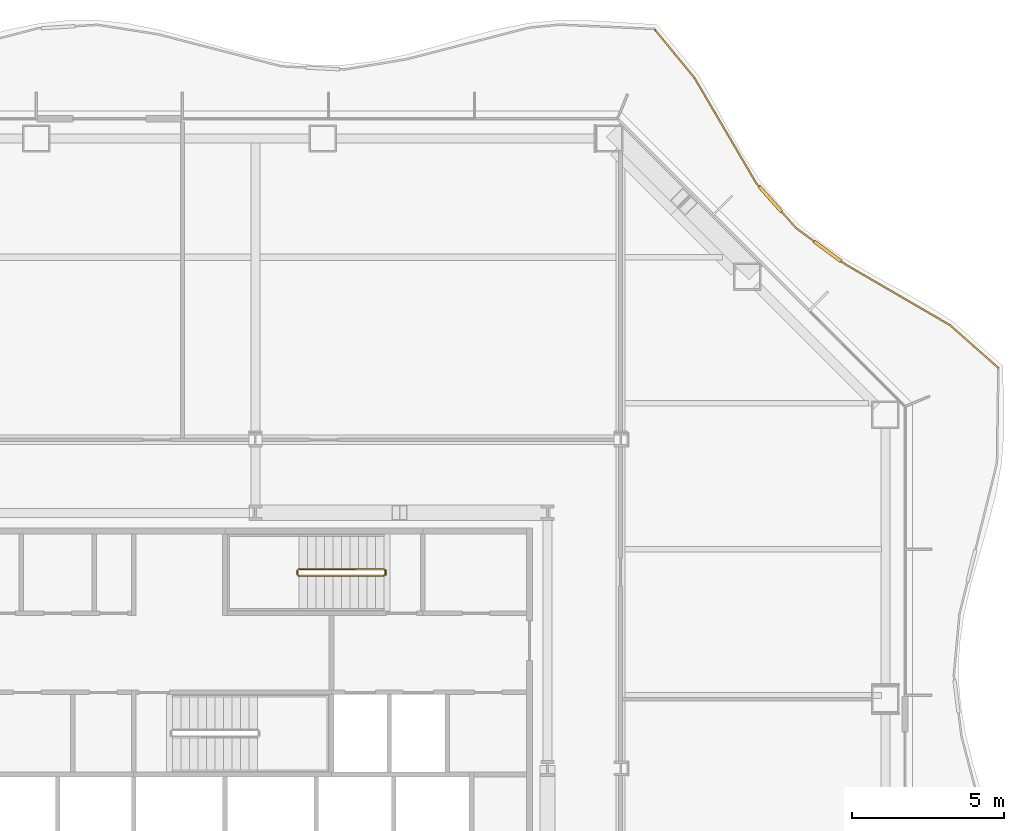
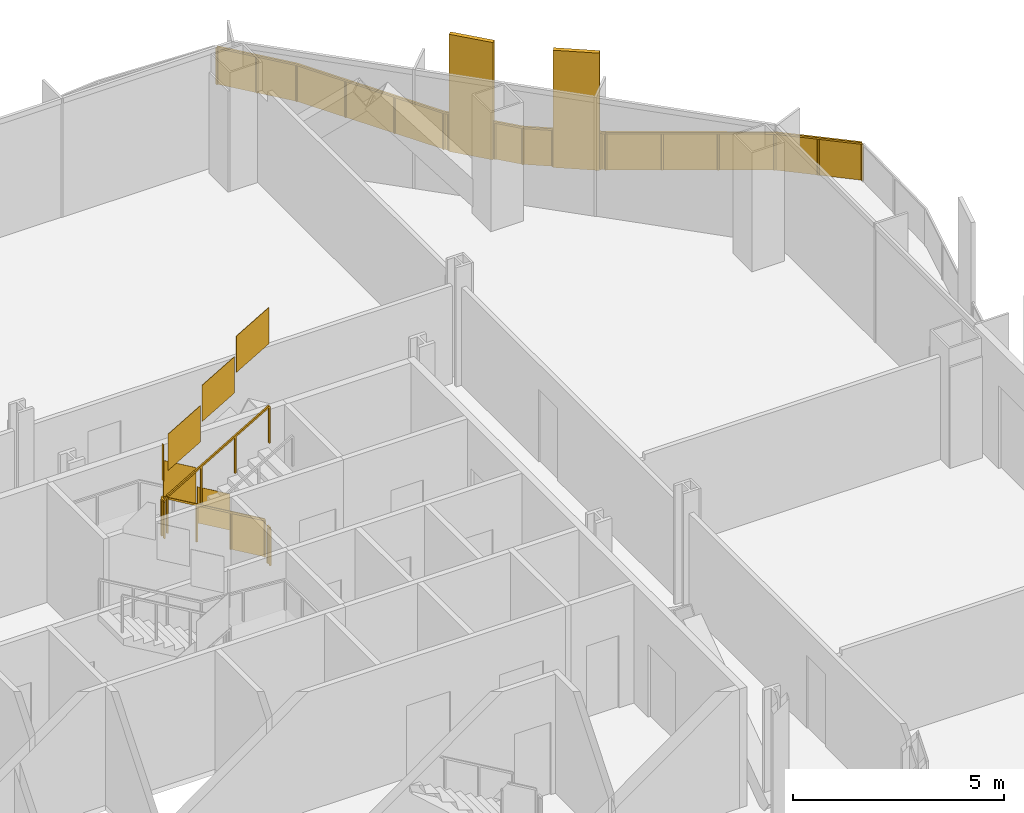
# One storey, part 17 of 17: 3 railings.
"""IFC4 building model written with IfcOpenShell, lengths in metres."""

from ifc_helpers import new_model, si_unit, direction, frame, origin, origin_2d, place, context, subcontext, project, spatial, polyline, rectangle, outline, extrude, material, type_object, element, save


model = new_model("IFC4")

# Units and contexts
model_context = context("Model", 3, precision=1e-05, world=origin(), true_north=direction((0.0, 1.0)))
body_context = subcontext(model_context, "Body", "Model", "MODEL_VIEW")
ifc_project = project(units=[si_unit("LENGTHUNIT", "METRE"), si_unit("AREAUNIT", "SQUARE_METRE"), si_unit("VOLUMEUNIT", "CUBIC_METRE"), si_unit("PLANEANGLEUNIT", "RADIAN"), si_unit("MASSUNIT", "GRAM", prefix="KILO")], contexts=[model_context])

# Site, building, storey
site_placement = place(None, origin())
site = spatial("IfcSite", under=ifc_project, at=site_placement, CompositionType="ELEMENT")
building_placement = place(site_placement, origin())
building = spatial("IfcBuilding", under=site, at=building_placement, Name="Cairn Pilgrim Tower", CompositionType="ELEMENT")
storey_placement = place(building_placement, frame((0.0, 0.0, 79.800048828125)))
storey = spatial("IfcBuildingStorey", under=building, at=storey_placement, Name="L18", CompositionType="ELEMENT", Elevation=79.800048828125)

# Railings
ifc_material_1 = material(Name="Bronze anodised aluminium rail, posts and fin screens with laminated glass infill", Category="aluminium")
railing_type_1 = type_object("IfcRailingType", Name="BALCONY GUARD WITH FIN SCREENS", PredefinedType="GUARDRAIL", material=ifc_material_1)
railing_1_placement = place(storey_placement, frame((31.614501953125, 15.5615234375, 0.0)))
element("IfcRailing", 1, at=railing_1_placement, inside=storey, type_object=railing_type_1, Name="Balcony guard BGF-4 with fin screens", PredefinedType="GUARDRAIL", context=body_context, shape_type="SweptSolid", body=[
    extrude(rectangle(XDim=0.050048828125, YDim=0.050048828125, at=origin_2d()), frame((0.0, 0.0, 1.0751953125), z_axis=(-0.749110938393, 0.662444565213, 0.0), x_axis=(-0.662444565213, -0.749110938393, 0.0)), (0.0, 0.0, 1.0), 2.118408203125),
    extrude(rectangle(XDim=0.050048828125, YDim=0.050048828125, at=origin_2d()), frame((-1.5869140625, 1.4033203125, 1.0751953125), z_axis=(-0.864566914372, 0.502517711702, 0.0), x_axis=(-0.502517711702, -0.864566914372, 0.0)), (0.0, 0.0, 1.0), 4.006103515625),
    extrude(rectangle(XDim=1.10009765625, YDim=0.110107421875, at=origin_2d()), frame((-5.613525390625, 3.83203125, 0.0), z_axis=(0.0, 0.0, 1.0), x_axis=(-0.804595063016, 0.593823866622, 0.0)), (0.0, 0.0, 1.0), 3.39990234375),
    extrude(rectangle(XDim=0.050048828125, YDim=0.050048828125, at=origin_2d()), frame((-5.050537109375, 3.41650390625, 1.0751953125), z_axis=(-0.804595063016, 0.593823866622, 0.0), x_axis=(-0.593823866622, -0.804595063016, 0.0)), (0.0, 0.0, 1.0), 0.14990234375),
    extrude(rectangle(XDim=0.050048828125, YDim=0.050048828125, at=origin_2d()), frame((-6.05615234375, 4.15869140625, 1.0751953125), z_axis=(-0.804595063016, 0.593823866622, 0.0), x_axis=(-0.593823866622, -0.804595063016, 0.0)), (0.0, 0.0, 1.0), 0.735595703125),
    extrude(rectangle(XDim=1.10009765625, YDim=0.110107421875, at=origin_2d()), frame((-7.49267578125, 5.548095703125, 0.0), z_axis=(0.0, 0.0, 1.0), x_axis=(-0.663526372196, 0.748152894401, 0.0)), (0.0, 0.0, 1.0), 3.39990234375),
    extrude(rectangle(XDim=0.050048828125, YDim=0.050048828125, at=origin_2d()), frame((-6.64794921875, 4.595458984375, 1.0751953125), z_axis=(-0.663526372196, 0.748152894401, 0.0), x_axis=(-0.748152894401, -0.663526372196, 0.0)), (0.0, 0.0, 1.0), 0.72314453125),
    extrude(rectangle(XDim=0.050048828125, YDim=0.050048828125, at=origin_2d()), frame((-7.857666015625, 5.95947265625, 1.0751953125), z_axis=(-0.663526372196, 0.748152894401, 0.0), x_axis=(-0.748152894401, -0.663526372196, 0.0)), (0.0, 0.0, 1.0), 0.150146484375),
    extrude(rectangle(XDim=0.050048828125, YDim=0.050048828125, at=origin_2d()), frame((-7.957275390625, 6.07177734375, 1.0751953125), z_axis=(-0.506003744629, 0.862531280837, 0.0), x_axis=(-0.862531280837, -0.506003744629, 0.0)), (0.0, 0.0, 1.0), 4.011474609375),
    extrude(rectangle(XDim=0.050048828125, YDim=0.050048828125, at=origin_2d()), frame((-9.987060546875, 9.53173828125, 1.0751953125), z_axis=(-0.634703363192, 0.772755873968, 0.0), x_axis=(-0.772755873968, -0.634703363192, 0.0)), (0.0, 0.0, 1.0), 2.021240234375),
    extrude(rectangle(XDim=0.050048828125, YDim=0.050048828125, at=origin_2d()), origin(), (0.0, 0.0, 1.0), 1.050048828125),
    extrude(rectangle(XDim=0.050048828125, YDim=0.050048828125, at=origin_2d()), frame((-0.79345703125, 0.70166015625, 0.0)), (0.0, 0.0, 1.0), 1.050048828125),
    extrude(rectangle(XDim=0.050048828125, YDim=0.050048828125, at=origin_2d()), frame((-1.5869140625, 1.4033203125, 0.0)), (0.0, 0.0, 1.0), 1.050048828125),
    extrude(rectangle(XDim=0.050048828125, YDim=0.050048828125, at=origin_2d()), frame((-2.741455078125, 2.074462890625, 0.0)), (0.0, 0.0, 1.0), 1.050048828125),
    extrude(rectangle(XDim=0.050048828125, YDim=0.050048828125, at=origin_2d()), frame((-3.89599609375, 2.745361328125, 0.0)), (0.0, 0.0, 1.0), 1.050048828125),
    extrude(rectangle(XDim=0.050048828125, YDim=0.050048828125, at=origin_2d()), frame((-5.050537109375, 3.41650390625, 0.0)), (0.0, 0.0, 1.0), 1.050048828125),
    extrude(rectangle(XDim=0.050048828125, YDim=0.050048828125, at=origin_2d()), frame((-5.15087890625, 3.49072265625, 0.0)), (0.0, 0.0, 1.0), 1.050048828125),
    extrude(rectangle(XDim=0.050048828125, YDim=0.050048828125, at=origin_2d()), frame((-6.076171875, 4.173583984375, 0.0)), (0.0, 0.0, 1.0), 1.050048828125),
    extrude(rectangle(XDim=0.050048828125, YDim=0.050048828125, at=origin_2d()), frame((-6.64794921875, 4.595458984375, 0.0)), (0.0, 0.0, 1.0), 1.050048828125),
    extrude(rectangle(XDim=0.050048828125, YDim=0.050048828125, at=origin_2d()), frame((-7.111328125, 5.117919921875, 0.0)), (0.0, 0.0, 1.0), 1.050048828125),
    extrude(rectangle(XDim=0.050048828125, YDim=0.050048828125, at=origin_2d()), frame((-7.874267578125, 5.978271484375, 0.0)), (0.0, 0.0, 1.0), 1.050048828125),
    extrude(rectangle(XDim=0.050048828125, YDim=0.050048828125, at=origin_2d()), frame((-7.957275390625, 6.07177734375, 0.0)), (0.0, 0.0, 1.0), 1.050048828125),
    extrude(rectangle(XDim=0.050048828125, YDim=0.050048828125, at=origin_2d()), frame((-8.6337890625, 7.22509765625, 0.0)), (0.0, 0.0, 1.0), 1.050048828125),
    extrude(rectangle(XDim=0.050048828125, YDim=0.050048828125, at=origin_2d()), frame((-9.310546875, 8.37841796875, 0.0)), (0.0, 0.0, 1.0), 1.050048828125),
    extrude(rectangle(XDim=0.050048828125, YDim=0.050048828125, at=origin_2d()), frame((-9.987060546875, 9.53173828125, 0.0)), (0.0, 0.0, 1.0), 1.050048828125),
    extrude(rectangle(XDim=0.050048828125, YDim=0.050048828125, at=origin_2d()), frame((-10.62841796875, 10.312744140625, 0.0)), (0.0, 0.0, 1.0), 1.050048828125),
    extrude(rectangle(XDim=0.050048828125, YDim=0.050048828125, at=origin_2d()), frame((-11.27001953125, 11.09375, 0.0)), (0.0, 0.0, 1.0), 1.050048828125),
    extrude(outline(polyline([(0.02490234375, 0.0), (1.0341796875, 0.0), (1.0341796875, 1.050048828125), (0.02490234375, 1.050048828125), (0.02490234375, 0.0)])), frame((-0.00390625, -0.00439453125, 0.0), z_axis=(0.662444565213, 0.749110938393, 0.0), x_axis=(-0.749110938393, 0.662444565213, 0.0)), (0.0, 0.0, 1.0), 0.011962890625),
    extrude(outline(polyline([(0.02490234375, 0.0), (1.0341796875, 0.0), (1.0341796875, 1.050048828125), (0.02490234375, 1.050048828125), (0.02490234375, 0.0)])), frame((-0.79736328125, 0.697265625, 0.0), z_axis=(0.662444565213, 0.749110938393, 0.0), x_axis=(-0.749110938393, 0.662444565213, 0.0)), (0.0, 0.0, 1.0), 0.011962890625),
    extrude(outline(polyline([(0.02490234375, 0.0), (1.310302734375, 0.0), (1.310302734375, 1.050048828125), (0.02490234375, 1.050048828125), (0.02490234375, 0.0)])), frame((-1.58984375, 1.398193359375, 0.0), z_axis=(0.502517711702, 0.864566914372, 0.0), x_axis=(-0.864566914372, 0.502517711702, 0.0)), (0.0, 0.0, 1.0), 0.011962890625),
    extrude(outline(polyline([(0.02490234375, 0.0), (1.310302734375, 0.0), (1.310302734375, 1.050048828125), (0.02490234375, 1.050048828125), (0.02490234375, 0.0)])), frame((-2.744384765625, 2.069091796875, 0.0), z_axis=(0.502517711702, 0.864566914372, 0.0), x_axis=(-0.864566914372, 0.502517711702, 0.0)), (0.0, 0.0, 1.0), 0.011962890625),
    extrude(outline(polyline([(0.02490234375, 0.0), (1.310302734375, 0.0), (1.310302734375, 1.050048828125), (0.02490234375, 1.050048828125), (0.02490234375, 0.0)])), frame((-3.89892578125, 2.740234375, 0.0), z_axis=(0.502517711702, 0.864566914372, 0.0), x_axis=(-0.864566914372, 0.502517711702, 0.0)), (0.0, 0.0, 1.0), 0.011962890625),
    extrude(outline(polyline([(0.02490234375, 0.0), (0.099853515625, 0.0), (0.099853515625, 1.050048828125), (0.02490234375, 1.050048828125), (0.02490234375, 0.0)])), frame((-5.05419921875, 3.41162109375, 0.0), z_axis=(0.593823866622, 0.804595063016, 0.0), x_axis=(-0.804595063016, 0.593823866622, 0.0)), (0.0, 0.0, 1.0), 0.011962890625),
    extrude(outline(polyline([(0.02490234375, 0.0), (0.685546875, 0.0), (0.685546875, 1.050048828125), (0.02490234375, 1.050048828125), (0.02490234375, 0.0)])), frame((-6.079833984375, 4.168701171875, 0.0), z_axis=(0.593823866622, 0.804595063016, 0.0), x_axis=(-0.804595063016, 0.593823866622, 0.0)), (0.0, 0.0, 1.0), 0.011962890625),
    extrude(outline(polyline([(0.02490234375, 0.0), (0.673095703125, 0.0), (0.673095703125, 1.050048828125), (0.02490234375, 1.050048828125), (0.02490234375, 0.0)])), frame((-6.65234375, 4.591552734375, 0.0), z_axis=(0.748152894401, 0.663526372196, 0.0), x_axis=(-0.663526372196, 0.748152894401, 0.0)), (0.0, 0.0, 1.0), 0.011962890625),
    extrude(outline(polyline([(0.02490234375, 0.0), (0.10009765625, 0.0), (0.10009765625, 1.050048828125), (0.02490234375, 1.050048828125), (0.02490234375, 0.0)])), frame((-7.87890625, 5.974365234375, 0.0), z_axis=(0.748152894401, 0.663526372196, 0.0), x_axis=(-0.663526372196, 0.748152894401, 0.0)), (0.0, 0.0, 1.0), 0.011962890625),
    extrude(outline(polyline([(0.02490234375, 0.0), (1.31201171875, 0.0), (1.31201171875, 1.050048828125), (0.02490234375, 1.050048828125), (0.02490234375, 0.0)])), frame((-7.96240234375, 6.06884765625, 0.0), z_axis=(0.862531280837, 0.506003744629, 0.0), x_axis=(-0.506003744629, 0.862531280837, 0.0)), (0.0, 0.0, 1.0), 0.011962890625),
    extrude(outline(polyline([(0.02490234375, 0.0), (1.31201171875, 0.0), (1.31201171875, 1.050048828125), (0.02490234375, 1.050048828125), (0.02490234375, 0.0)])), frame((-8.638916015625, 7.22216796875, 0.0), z_axis=(0.862531280837, 0.506003744629, 0.0), x_axis=(-0.506003744629, 0.862531280837, 0.0)), (0.0, 0.0, 1.0), 0.011962890625),
    extrude(outline(polyline([(0.02490234375, 0.0), (1.31201171875, 0.0), (1.31201171875, 1.050048828125), (0.02490234375, 1.050048828125), (0.02490234375, 0.0)])), frame((-9.315673828125, 8.37548828125, 0.0), z_axis=(0.862531280837, 0.506003744629, 0.0), x_axis=(-0.506003744629, 0.862531280837, 0.0)), (0.0, 0.0, 1.0), 0.011962890625),
    extrude(outline(polyline([(0.02490234375, 0.0), (0.985595703125, 0.0), (0.985595703125, 1.050048828125), (0.02490234375, 1.050048828125), (0.02490234375, 0.0)])), frame((-9.99169921875, 9.52783203125, 0.0), z_axis=(0.772755873968, 0.634703363192, 0.0), x_axis=(-0.634703363192, 0.772755873968, 0.0)), (0.0, 0.0, 1.0), 0.011962890625),
    extrude(outline(polyline([(0.02490234375, 0.0), (0.985595703125, 0.0), (0.985595703125, 1.050048828125), (0.02490234375, 1.050048828125), (0.02490234375, 0.0)])), frame((-10.633056640625, 10.308837890625, 0.0), z_axis=(0.772755873968, 0.634703363192, 0.0), x_axis=(-0.634703363192, 0.772755873968, 0.0)), (0.0, 0.0, 1.0), 0.011962890625),
])
ifc_material_2 = material(Name="Painted steel", Category="steel")
railing_type_2 = type_object("IfcRailingType", Name="STAIR GUARD 1100", PredefinedType="GUARDRAIL", material=ifc_material_2)
railing_2_placement = place(storey_placement, frame((11.425048828125, 8.949951171875, 0.16357421875)))
element("IfcRailing", 2, at=railing_2_placement, inside=storey, type_object=railing_type_2, Name="L18 ST-C stair guard 1", PredefinedType="GUARDRAIL", context=body_context, shape_type="SweptSolid", body=[
    extrude(rectangle(XDim=0.048095703125, YDim=0.048095703125, at=origin_2d()), frame((0.0, 0.0, 1.076171875), z_axis=(-0.863360870873, 0.0, 0.504586966384), x_axis=(0.0, -1.0, 0.0)), (0.0, 0.0, 1.0), 3.2431640625),
    extrude(rectangle(XDim=0.048095703125, YDim=0.048095703125, at=origin_2d()), frame((-2.800048828125, 0.0, 2.71240234375), z_axis=(-0.707106781187, -0.707106781187, 0.0), x_axis=(0.707106781187, -0.707106781187, 0.0)), (0.0, 0.0, 1.0), 0.07080078125),
    extrude(rectangle(XDim=0.048095703125, YDim=0.048095703125, at=origin_2d()), frame((-2.85009765625, -0.050048828125, 2.71240234375), z_axis=(0.0, -1.0, 0.0), x_axis=(1.0, 0.0, 0.0)), (0.0, 0.0, 1.0), 0.125),
    extrude(rectangle(XDim=0.048095703125, YDim=0.048095703125, at=origin_2d()), frame((-2.85009765625, -0.175048828125, 2.71240234375), z_axis=(0.280916556609, -0.279546231943, 0.91811752648), x_axis=(0.705375805398, 0.708833529934, 0.0)), (0.0, 0.0, 1.0), 0.17822265625),
    extrude(rectangle(XDim=0.048095703125, YDim=0.048095703125, at=origin_2d()), frame((-2.800048828125, -0.224853515625, 2.8759765625), z_axis=(0.863393664356, 0.0, 0.504530851732), x_axis=(0.0, 1.0, 0.0)), (0.0, 0.0, 1.0), 3.2431640625),
    extrude(rectangle(XDim=0.0419921875, YDim=0.0419921875, at=origin_2d()), origin(), (0.0, 0.0, 1.0), 1.052001953125),
    extrude(rectangle(XDim=0.0419921875, YDim=0.0419921875, at=origin_2d()), frame((-0.933349609375, 0.0, 0.54541015625)), (0.0, 0.0, 1.0), 1.052001953125),
    extrude(rectangle(XDim=0.0419921875, YDim=0.0419921875, at=origin_2d()), frame((-1.86669921875, 0.0, 1.091064453125)), (0.0, 0.0, 1.0), 1.052001953125),
    extrude(rectangle(XDim=0.0419921875, YDim=0.0419921875, at=origin_2d()), frame((-2.800048828125, 0.0, 1.636474609375)), (0.0, 0.0, 1.0), 1.052001953125),
    extrude(rectangle(XDim=0.0419921875, YDim=0.0419921875, at=origin_2d()), frame((-2.85009765625, -0.050048828125, 1.636474609375)), (0.0, 0.0, 1.0), 1.052001953125),
    extrude(rectangle(XDim=0.0419921875, YDim=0.0419921875, at=origin_2d()), frame((-2.85009765625, -0.175048828125, 1.636474609375)), (0.0, 0.0, 1.0), 1.052001953125),
    extrude(rectangle(XDim=0.0419921875, YDim=0.0419921875, at=origin_2d()), frame((-2.800048828125, -0.224853515625, 1.800048828125)), (0.0, 0.0, 1.0), 1.052001953125),
    extrude(rectangle(XDim=0.0419921875, YDim=0.0419921875, at=origin_2d()), frame((-1.86669921875, -0.224853515625, 2.345458984375)), (0.0, 0.0, 1.0), 1.052001953125),
    extrude(rectangle(XDim=0.0419921875, YDim=0.0419921875, at=origin_2d()), frame((-0.933349609375, -0.224853515625, 2.890869140625)), (0.0, 0.0, 1.0), 1.052001953125),
    extrude(rectangle(XDim=0.0419921875, YDim=0.0419921875, at=origin_2d()), frame((0.0, -0.224853515625, 3.436279296875)), (0.0, 0.0, 1.0), 1.052001953125),
    extrude(outline(polyline([(0.02099609375, 0.01220703125), (0.912353515625, 0.533203125), (0.912353515625, 1.585205078125), (0.02099609375, 1.064208984375), (0.02099609375, 0.01220703125)])), frame((0.0, -0.005859375, 0.0), z_axis=(0.0, 1.0, 0.0), x_axis=(-1.0, 0.0, 0.0)), (0.0, 0.0, 1.0), 0.011962890625),
    extrude(outline(polyline([(0.02099609375, 0.557861328125), (0.912353515625, 1.07861328125), (0.912353515625, 2.130615234375), (0.02099609375, 1.60986328125), (0.02099609375, 0.557861328125)])), frame((-0.933349609375, -0.005859375, 0.54541015625), z_axis=(0.0, 1.0, 0.0), x_axis=(-1.0, 0.0, 0.0)), (0.0, 0.0, 1.0), 0.011962890625),
    extrude(outline(polyline([(0.02099609375, 1.103271484375), (0.912353515625, 1.624267578125), (0.912353515625, 2.67626953125), (0.02099609375, 2.1552734375), (0.02099609375, 1.103271484375)])), frame((-1.86669921875, -0.005859375, 1.091064453125), z_axis=(0.0, 1.0, 0.0), x_axis=(-1.0, 0.0, 0.0)), (0.0, 0.0, 1.0), 0.011962890625),
    extrude(outline(polyline([(0.02099609375, 1.636474609375), (0.10400390625, 1.636474609375), (0.10400390625, 2.6884765625), (0.02099609375, 2.6884765625), (0.02099609375, 1.636474609375)])), frame((-2.84423828125, -0.050048828125, 1.636474609375), z_axis=(-1.0, 0.0, 0.0), x_axis=(0.0, -1.0, 0.0)), (0.0, 0.0, 1.0), 0.011962890625),
    extrude(outline(polyline([(0.02099609375, 1.812255859375), (0.912353515625, 2.333251953125), (0.912353515625, 3.38525390625), (0.02099609375, 2.8642578125), (0.02099609375, 1.812255859375)])), frame((-2.800048828125, -0.21875, 1.800048828125), z_axis=(0.0, -1.0, 0.0), x_axis=(1.0, 0.0, 0.0)), (0.0, 0.0, 1.0), 0.011962890625),
    extrude(outline(polyline([(0.02099609375, 2.357666015625), (0.912353515625, 2.878662109375), (0.912353515625, 3.9306640625), (0.02099609375, 3.40966796875), (0.02099609375, 2.357666015625)])), frame((-1.86669921875, -0.21875, 2.345458984375), z_axis=(0.0, -1.0, 0.0), x_axis=(1.0, 0.0, 0.0)), (0.0, 0.0, 1.0), 0.011962890625),
    extrude(outline(polyline([(0.02099609375, 2.903076171875), (0.912353515625, 3.424072265625), (0.912353515625, 4.47607421875), (0.02099609375, 3.955078125), (0.02099609375, 2.903076171875)])), frame((-0.933349609375, -0.21875, 2.890869140625), z_axis=(0.0, -1.0, 0.0), x_axis=(1.0, 0.0, 0.0)), (0.0, 0.0, 1.0), 0.011962890625),
])
railing_3_placement = place(storey_placement, frame((11.47509765625, 8.89990234375, 0.0)))
element("IfcRailing", 3, at=railing_3_placement, inside=storey, type_object=railing_type_2, Name="L18 ST-C stair guard 2", PredefinedType="GUARDRAIL", context=body_context, shape_type="SweptSolid", body=[
    extrude(rectangle(XDim=0.048095703125, YDim=0.048095703125, at=origin_2d()), frame((0.0, 0.0, 1.076171875), z_axis=(0.0, -1.0, 0.0), x_axis=(1.0, 0.0, 0.0)), (0.0, 0.0, 1.0), 0.125),
    extrude(rectangle(XDim=0.0419921875, YDim=0.0419921875, at=origin_2d()), origin(), (0.0, 0.0, 1.0), 1.052001953125),
    extrude(rectangle(XDim=0.0419921875, YDim=0.0419921875, at=origin_2d()), frame((0.0, -0.125, 0.0)), (0.0, 0.0, 1.0), 1.052001953125),
    extrude(outline(polyline([(0.02099609375, 0.0), (0.10400390625, 0.0), (0.10400390625, 1.052001953125), (0.02099609375, 1.052001953125), (0.02099609375, 0.0)])), frame((0.005859375, 0.0, 0.0), z_axis=(-1.0, 0.0, 0.0), x_axis=(0.0, -1.0, 0.0)), (0.0, 0.0, 1.0), 0.011962890625),
])

save(model, "model.ifc")
